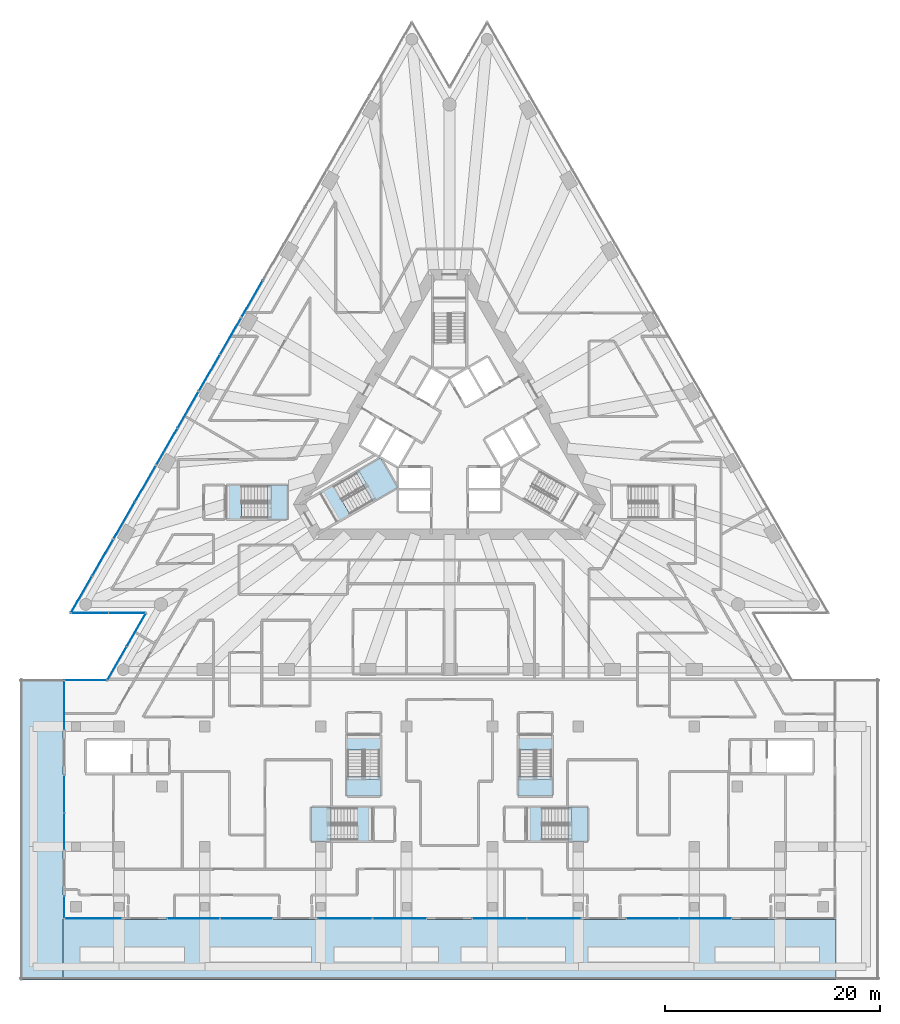
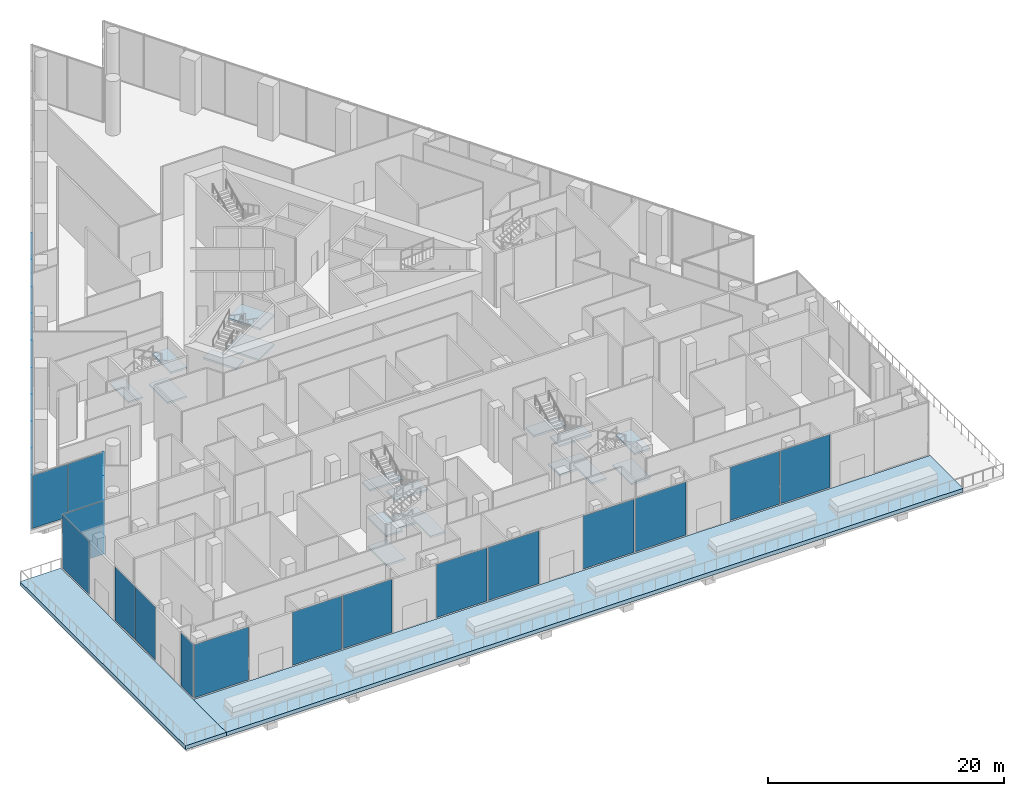
# One storey, part 19 of 36: 27 plates, 20 slabs, 26 elements without a shape of their own.
"""IFC4 building model written with IfcOpenShell, lengths in metres."""

from ifc_helpers import new_model, si_unit, direction, frame, origin, origin_2d, place, context, subcontext, project, spatial, polyline, rectangle, outline, extrude, material, layer, layer_set, layer_usage, type_object, element, aggregate, save


model = new_model("IFC4")

# Units and contexts
model_context = context("Model", 3, precision=1e-05, world=origin(), true_north=direction((0.0, 1.0)))
body_context = subcontext(model_context, "Body", "Model", "MODEL_VIEW")
ifc_project = project(units=[si_unit("LENGTHUNIT", "METRE"), si_unit("AREAUNIT", "SQUARE_METRE"), si_unit("VOLUMEUNIT", "CUBIC_METRE"), si_unit("PLANEANGLEUNIT", "RADIAN"), si_unit("MASSUNIT", "GRAM", prefix="KILO")], contexts=[model_context])

# Site, building, storey
site_placement = place(None, origin())
site = spatial("IfcSite", under=ifc_project, at=site_placement, CompositionType="ELEMENT")
building_placement = place(site_placement, origin())
building = spatial("IfcBuilding", under=site, at=building_placement, Name="Triada Interchange Tower", CompositionType="ELEMENT")
storey_placement = place(building_placement, frame((0.0, 0.0, 8.5)))
storey = spatial("IfcBuildingStorey", under=building, at=storey_placement, Name="L01", CompositionType="ELEMENT", Elevation=8.5)

# Curtain wall, plate
ifc_material_1 = material(Name="Aluminium framed glazing", Category="aluminium")
ifc_layer_1 = layer(ifc_material_1, 0.199951171875)
ifc_layer_set_1 = layer_set([ifc_layer_1], Name="Curtain wall Concourse glazed screen")
curtain_wall_type_1 = type_object("IfcCurtainWallType", Name="Curtain wall Concourse glazed screen", PredefinedType="NOTDEFINED", material=ifc_layer_set_1)
curtain_wall_1_placement = place(storey_placement, origin())
curtain_wall_1 = element("IfcCurtainWall", 1, at=curtain_wall_1_placement, inside=storey, type_object=curtain_wall_type_1, Name="Concourse glazed screen CW030 L01", PredefinedType="NOTDEFINED")
ifc_material_2 = material(Name="Insulated glazing unit", Category="glass")
ifc_layer_2 = layer(ifc_material_2, 0.031982421875)
ifc_layer_set_2 = layer_set([ifc_layer_2], Name="Glazing panel Concourse glazed screen 32")
plate_type_1 = type_object("IfcPlateType", Name="Glazing panel Concourse glazed screen 32", PredefinedType="CURTAIN_PANEL", material=ifc_layer_set_2)
plate_1_placement = place(storey_placement, frame((-18.396728515625, 12.935302734375, 0.06005859375), z_axis=(0.0, 0.0, 1.0), x_axis=(-0.499893351442, -0.866086968603, 0.0)))
plate_1 = element("IfcPlate", 2, at=plate_1_placement, type_object=plate_type_1, Name="CW030 panel 2.1", PredefinedType="CURTAIN_PANEL", context=body_context, shape_type="SweptSolid", body=[
    extrude(rectangle(XDim=3.8779296875, YDim=0.031982421875, at=origin_2d()), origin(), (0.0, 0.0, 1.0), 5.47998046875),
])
aggregate(curtain_wall_1, [plate_1])

# Curtain wall, plates
curtain_wall_2_placement = place(storey_placement, origin())
curtain_wall_2 = element("IfcCurtainWall", 3, at=curtain_wall_2_placement, inside=storey, type_object=curtain_wall_type_1, Name="Concourse glazed screen CW031 L01", PredefinedType="NOTDEFINED")
plate_2_placement = place(storey_placement, frame((-20.4013671875, 9.46484375, 0.06005859375), z_axis=(0.0, 0.0, 1.0), x_axis=(-0.499893351442, -0.866086968603, 0.0)))
plate_2 = element("IfcPlate", 4, at=plate_2_placement, type_object=plate_type_1, Name="CW031 panel 1.1", PredefinedType="CURTAIN_PANEL", context=body_context, shape_type="SweptSolid", body=[
    extrude(rectangle(XDim=3.8779296875, YDim=0.031982421875, at=origin_2d()), origin(), (0.0, 0.0, 1.0), 5.47998046875),
])
plate_3_placement = place(storey_placement, frame((-22.369873046875, 6.05419921875, 0.06005859375), z_axis=(0.0, 0.0, 1.0), x_axis=(-0.499893351442, -0.866086968603, 0.0)))
plate_3 = element("IfcPlate", 5, at=plate_3_placement, type_object=plate_type_1, Name="CW031 panel 2.1", PredefinedType="CURTAIN_PANEL", context=body_context, shape_type="SweptSolid", body=[
    extrude(rectangle(XDim=3.8779296875, YDim=0.031982421875, at=origin_2d()), origin(), (0.0, 0.0, 1.0), 5.47998046875),
])
aggregate(curtain_wall_2, [plate_2, plate_3])

curtain_wall_3_placement = place(storey_placement, origin())
curtain_wall_3 = element("IfcCurtainWall", 6, at=curtain_wall_3_placement, inside=storey, type_object=curtain_wall_type_1, Name="Concourse glazed screen CW032 L01", PredefinedType="NOTDEFINED")
plate_4_placement = place(storey_placement, frame((-24.374267578125, 2.5830078125, 0.06005859375), z_axis=(0.0, 0.0, 1.0), x_axis=(-0.499947913852, -0.866055473648, 0.0)))
plate_4 = element("IfcPlate", 7, at=plate_4_placement, type_object=plate_type_1, Name="CW032 panel 1.1", PredefinedType="CURTAIN_PANEL", context=body_context, shape_type="SweptSolid", body=[
    extrude(rectangle(XDim=3.87744140625, YDim=0.031982421875, at=origin_2d()), origin(), (0.0, 0.0, 1.0), 5.47998046875),
])
plate_5_placement = place(storey_placement, frame((-26.3427734375, -0.826904296875, 0.06005859375), z_axis=(0.0, 0.0, 1.0), x_axis=(-0.499947913852, -0.866055473648, 0.0)))
plate_5 = element("IfcPlate", 8, at=plate_5_placement, type_object=plate_type_1, Name="CW032 panel 2.1", PredefinedType="CURTAIN_PANEL", context=body_context, shape_type="SweptSolid", body=[
    extrude(rectangle(XDim=3.87744140625, YDim=0.031982421875, at=origin_2d()), origin(), (0.0, 0.0, 1.0), 5.47998046875),
])
aggregate(curtain_wall_3, [plate_4, plate_5])

curtain_wall_4_placement = place(storey_placement, origin())
curtain_wall_4 = element("IfcCurtainWall", 9, at=curtain_wall_4_placement, inside=storey, type_object=curtain_wall_type_1, Name="Concourse glazed screen CW033 L01", PredefinedType="NOTDEFINED")
plate_6_placement = place(storey_placement, frame((-28.34716796875, -4.298095703125, 0.06005859375), z_axis=(0.0, 0.0, 1.0), x_axis=(-0.499947913852, -0.866055473648, 0.0)))
plate_6 = element("IfcPlate", 10, at=plate_6_placement, type_object=plate_type_1, Name="CW033 panel 1.1", PredefinedType="CURTAIN_PANEL", context=body_context, shape_type="SweptSolid", body=[
    extrude(rectangle(XDim=3.87744140625, YDim=0.031982421875, at=origin_2d()), origin(), (0.0, 0.0, 1.0), 5.47998046875),
])
plate_7_placement = place(storey_placement, frame((-30.315673828125, -7.7080078125, 0.06005859375), z_axis=(0.0, 0.0, 1.0), x_axis=(-0.499947913852, -0.866055473648, 0.0)))
plate_7 = element("IfcPlate", 11, at=plate_7_placement, type_object=plate_type_1, Name="CW033 panel 2.1", PredefinedType="CURTAIN_PANEL", context=body_context, shape_type="SweptSolid", body=[
    extrude(rectangle(XDim=3.87744140625, YDim=0.031982421875, at=origin_2d()), origin(), (0.0, 0.0, 1.0), 5.47998046875),
])
aggregate(curtain_wall_4, [plate_6, plate_7])

curtain_wall_5_placement = place(storey_placement, origin())
curtain_wall_5 = element("IfcCurtainWall", 12, at=curtain_wall_5_placement, inside=storey, type_object=curtain_wall_type_1, Name="Concourse glazed screen CW034 L01", PredefinedType="NOTDEFINED")
plate_8_placement = place(storey_placement, frame((-32.321044921875, -11.18017578125, 0.06005859375), z_axis=(0.0, 0.0, 1.0), x_axis=(-0.499958648825, -0.86604927658, 0.0)))
plate_8 = element("IfcPlate", 13, at=plate_8_placement, type_object=plate_type_1, Name="CW034 panel 1.1", PredefinedType="CURTAIN_PANEL", context=body_context, shape_type="SweptSolid", body=[
    extrude(rectangle(XDim=3.88037109375, YDim=0.031982421875, at=origin_2d()), origin(), (0.0, 0.0, 1.0), 5.47998046875),
])
plate_9_placement = place(storey_placement, frame((-34.291015625, -14.5927734375, 0.06005859375), z_axis=(0.0, 0.0, 1.0), x_axis=(-0.499958648825, -0.86604927658, 0.0)))
plate_9 = element("IfcPlate", 14, at=plate_9_placement, type_object=plate_type_1, Name="CW034 panel 2.1", PredefinedType="CURTAIN_PANEL", context=body_context, shape_type="SweptSolid", body=[
    extrude(rectangle(XDim=3.88037109375, YDim=0.031982421875, at=origin_2d()), origin(), (0.0, 0.0, 1.0), 5.47998046875),
])
aggregate(curtain_wall_5, [plate_8, plate_9])

# Curtain wall, plate
ifc_layer_3 = layer(ifc_material_1, 0.199951171875)
ifc_layer_set_3 = layer_set([ifc_layer_3], Name="Curtain wall Retail shopfront")
curtain_wall_type_2 = type_object("IfcCurtainWallType", Name="Curtain wall Retail shopfront", PredefinedType="NOTDEFINED", material=ifc_layer_set_3)
curtain_wall_6_placement = place(storey_placement, origin())
curtain_wall_6 = element("IfcCurtainWall", 15, at=curtain_wall_6_placement, inside=storey, type_object=curtain_wall_type_2, Name="Retail shopfront CW001 L01", PredefinedType="NOTDEFINED")
ifc_layer_4 = layer(ifc_material_2, 0.028076171875)
ifc_layer_set_4 = layer_set([ifc_layer_4], Name="Glazing panel Retail shopfront 28")
plate_type_2 = type_object("IfcPlateType", Name="Glazing panel Retail shopfront 28", PredefinedType="CURTAIN_PANEL", material=ifc_layer_set_4)
plate_10_placement = place(storey_placement, frame((-33.2099609375, -44.800048828125, 0.050048828125), z_axis=(0.0, 0.0, 1.0), x_axis=(1.0, 0.0, 0.0)))
plate_10 = element("IfcPlate", 16, at=plate_10_placement, type_object=plate_type_2, Name="CW001 panel 1.1", PredefinedType="CURTAIN_PANEL", context=body_context, shape_type="SweptSolid", body=[
    extrude(rectangle(XDim=5.280029296875, YDim=0.028076171875, at=origin_2d()), origin(), (0.0, 0.0, 1.0), 5.5),
])
aggregate(curtain_wall_6, [plate_10])

curtain_wall_7_placement = place(storey_placement, origin())
curtain_wall_7 = element("IfcCurtainWall", 17, at=curtain_wall_7_placement, inside=storey, type_object=curtain_wall_type_2, Name="Retail shopfront CW002 L01", PredefinedType="NOTDEFINED")
plate_11_placement = place(storey_placement, frame((-23.857421875, -44.800048828125, 0.050048828125), z_axis=(0.0, 0.0, 1.0), x_axis=(1.0, 0.0, 0.0)))
plate_11 = element("IfcPlate", 18, at=plate_11_placement, type_object=plate_type_2, Name="CW002 panel 1.1", PredefinedType="CURTAIN_PANEL", context=body_context, shape_type="SweptSolid", body=[
    extrude(rectangle(XDim=4.824951171875, YDim=0.028076171875, at=origin_2d()), origin(), (0.0, 0.0, 1.0), 5.5),
])
aggregate(curtain_wall_7, [plate_11])

curtain_wall_8_placement = place(storey_placement, origin())
curtain_wall_8 = element("IfcCurtainWall", 19, at=curtain_wall_8_placement, inside=storey, type_object=curtain_wall_type_2, Name="Retail shopfront CW003 L01", PredefinedType="NOTDEFINED")
plate_12_placement = place(storey_placement, frame((-18.922607421875, -44.800048828125, 0.050048828125), z_axis=(0.0, 0.0, 1.0), x_axis=(1.0, 0.0, 0.0)))
plate_12 = element("IfcPlate", 20, at=plate_12_placement, type_object=plate_type_2, Name="CW003 panel 1.1", PredefinedType="CURTAIN_PANEL", context=body_context, shape_type="SweptSolid", body=[
    extrude(rectangle(XDim=4.824951171875, YDim=0.028076171875, at=origin_2d()), origin(), (0.0, 0.0, 1.0), 5.5),
])
aggregate(curtain_wall_8, [plate_12])

curtain_wall_9_placement = place(storey_placement, origin())
curtain_wall_9 = element("IfcCurtainWall", 21, at=curtain_wall_9_placement, inside=storey, type_object=curtain_wall_type_2, Name="Retail shopfront CW004 L01", PredefinedType="NOTDEFINED")
plate_13_placement = place(storey_placement, frame((-9.722412109375, -44.800048828125, 0.050048828125), z_axis=(0.0, 0.0, 1.0), x_axis=(1.0, 0.0, 0.0)))
plate_13 = element("IfcPlate", 22, at=plate_13_placement, type_object=plate_type_2, Name="CW004 panel 1.1", PredefinedType="CURTAIN_PANEL", context=body_context, shape_type="SweptSolid", body=[
    extrude(rectangle(XDim=4.97509765625, YDim=0.028076171875, at=origin_2d()), origin(), (0.0, 0.0, 1.0), 5.5),
])
aggregate(curtain_wall_9, [plate_13])

curtain_wall_10_placement = place(storey_placement, origin())
curtain_wall_10 = element("IfcCurtainWall", 23, at=curtain_wall_10_placement, inside=storey, type_object=curtain_wall_type_2, Name="Retail shopfront CW005 L01", PredefinedType="NOTDEFINED")
plate_14_placement = place(storey_placement, frame((-4.637451171875, -44.800048828125, 0.050048828125), z_axis=(0.0, 0.0, 1.0), x_axis=(1.0, 0.0, 0.0)))
plate_14 = element("IfcPlate", 24, at=plate_14_placement, type_object=plate_type_2, Name="CW005 panel 1.1", PredefinedType="CURTAIN_PANEL", context=body_context, shape_type="SweptSolid", body=[
    extrude(rectangle(XDim=4.97509765625, YDim=0.028076171875, at=origin_2d()), origin(), (0.0, 0.0, 1.0), 5.5),
])
aggregate(curtain_wall_10, [plate_14])

curtain_wall_11_placement = place(storey_placement, origin())
curtain_wall_11 = element("IfcCurtainWall", 25, at=curtain_wall_11_placement, inside=storey, type_object=curtain_wall_type_2, Name="Retail shopfront CW006 L01", PredefinedType="NOTDEFINED")
plate_15_placement = place(storey_placement, frame((4.637451171875, -44.800048828125, 0.050048828125), z_axis=(0.0, 0.0, 1.0), x_axis=(1.0, 0.0, 0.0)))
plate_15 = element("IfcPlate", 26, at=plate_15_placement, type_object=plate_type_2, Name="CW006 panel 1.1", PredefinedType="CURTAIN_PANEL", context=body_context, shape_type="SweptSolid", body=[
    extrude(rectangle(XDim=4.97509765625, YDim=0.028076171875, at=origin_2d()), origin(), (0.0, 0.0, 1.0), 5.5),
])
aggregate(curtain_wall_11, [plate_15])

curtain_wall_12_placement = place(storey_placement, origin())
curtain_wall_12 = element("IfcCurtainWall", 27, at=curtain_wall_12_placement, inside=storey, type_object=curtain_wall_type_2, Name="Retail shopfront CW007 L01", PredefinedType="NOTDEFINED")
plate_16_placement = place(storey_placement, frame((9.722412109375, -44.800048828125, 0.050048828125), z_axis=(0.0, 0.0, 1.0), x_axis=(1.0, 0.0, 0.0)))
plate_16 = element("IfcPlate", 28, at=plate_16_placement, type_object=plate_type_2, Name="CW007 panel 1.1", PredefinedType="CURTAIN_PANEL", context=body_context, shape_type="SweptSolid", body=[
    extrude(rectangle(XDim=4.97509765625, YDim=0.028076171875, at=origin_2d()), origin(), (0.0, 0.0, 1.0), 5.5),
])
aggregate(curtain_wall_12, [plate_16])

curtain_wall_13_placement = place(storey_placement, origin())
curtain_wall_13 = element("IfcCurtainWall", 29, at=curtain_wall_13_placement, inside=storey, type_object=curtain_wall_type_2, Name="Retail shopfront CW008 L01", PredefinedType="NOTDEFINED")
plate_17_placement = place(storey_placement, frame((18.922607421875, -44.800048828125, 0.050048828125), z_axis=(0.0, 0.0, 1.0), x_axis=(1.0, 0.0, 0.0)))
plate_17 = element("IfcPlate", 30, at=plate_17_placement, type_object=plate_type_2, Name="CW008 panel 1.1", PredefinedType="CURTAIN_PANEL", context=body_context, shape_type="SweptSolid", body=[
    extrude(rectangle(XDim=4.824951171875, YDim=0.028076171875, at=origin_2d()), origin(), (0.0, 0.0, 1.0), 5.5),
])
aggregate(curtain_wall_13, [plate_17])

curtain_wall_14_placement = place(storey_placement, origin())
curtain_wall_14 = element("IfcCurtainWall", 31, at=curtain_wall_14_placement, inside=storey, type_object=curtain_wall_type_2, Name="Retail shopfront CW009 L01", PredefinedType="NOTDEFINED")
plate_18_placement = place(storey_placement, frame((23.857421875, -44.800048828125, 0.050048828125), z_axis=(0.0, 0.0, 1.0), x_axis=(1.0, 0.0, 0.0)))
plate_18 = element("IfcPlate", 32, at=plate_18_placement, type_object=plate_type_2, Name="CW009 panel 1.1", PredefinedType="CURTAIN_PANEL", context=body_context, shape_type="SweptSolid", body=[
    extrude(rectangle(XDim=4.824951171875, YDim=0.028076171875, at=origin_2d()), origin(), (0.0, 0.0, 1.0), 5.5),
])
aggregate(curtain_wall_14, [plate_18])

curtain_wall_15_placement = place(storey_placement, origin())
curtain_wall_15 = element("IfcCurtainWall", 33, at=curtain_wall_15_placement, inside=storey, type_object=curtain_wall_type_2, Name="Retail shopfront CW037 L01", PredefinedType="NOTDEFINED")
plate_19_placement = place(storey_placement, frame((-33.89892578125, -22.60009765625, 0.050048828125), z_axis=(0.0, 0.0, 1.0), x_axis=(-1.0, 0.0, 0.0)))
plate_19 = element("IfcPlate", 34, at=plate_19_placement, type_object=plate_type_2, Name="CW037 panel 1.1", PredefinedType="CURTAIN_PANEL", context=body_context, shape_type="SweptSolid", body=[
    extrude(rectangle(XDim=3.902099609375, YDim=0.028076171875, at=origin_2d()), origin(), (0.0, 0.0, 1.0), 5.5),
])
aggregate(curtain_wall_15, [plate_19])

curtain_wall_16_placement = place(storey_placement, origin())
curtain_wall_16 = element("IfcCurtainWall", 35, at=curtain_wall_16_placement, inside=storey, type_object=curtain_wall_type_2, Name="Retail shopfront CW038 L01", PredefinedType="NOTDEFINED")
plate_20_placement = place(storey_placement, frame((-35.89990234375, -24.925048828125, 0.050048828125), z_axis=(0.0, 0.0, 1.0), x_axis=(0.0, -1.0, 0.0)))
plate_20 = element("IfcPlate", 36, at=plate_20_placement, type_object=plate_type_2, Name="CW038 panel 1.1", PredefinedType="CURTAIN_PANEL", context=body_context, shape_type="SweptSolid", body=[
    extrude(rectangle(XDim=4.550048828125, YDim=0.028076171875, at=origin_2d()), origin(), (0.0, 0.0, 1.0), 5.5),
])
aggregate(curtain_wall_16, [plate_20])

# Curtain wall, plates
curtain_wall_17_placement = place(storey_placement, origin())
curtain_wall_17 = element("IfcCurtainWall", 37, at=curtain_wall_17_placement, inside=storey, type_object=curtain_wall_type_2, Name="Retail shopfront CW039 L01", PredefinedType="NOTDEFINED")
plate_21_placement = place(storey_placement, frame((-35.89990234375, -33.21240234375, 0.050048828125), z_axis=(0.0, 0.0, 1.0), x_axis=(0.0, -1.0, 0.0)))
plate_21 = element("IfcPlate", 38, at=plate_21_placement, type_object=plate_type_2, Name="CW039 panel 1.1", PredefinedType="CURTAIN_PANEL", context=body_context, shape_type="SweptSolid", body=[
    extrude(rectangle(XDim=3.425048828125, YDim=0.028076171875, at=origin_2d()), origin(), (0.0, 0.0, 1.0), 5.5),
])
plate_22_placement = place(storey_placement, frame((-35.89990234375, -36.6875, 0.050048828125), z_axis=(0.0, 0.0, 1.0), x_axis=(0.0, -1.0, 0.0)))
plate_22 = element("IfcPlate", 39, at=plate_22_placement, type_object=plate_type_2, Name="CW039 panel 2.1", PredefinedType="CURTAIN_PANEL", context=body_context, shape_type="SweptSolid", body=[
    extrude(rectangle(XDim=3.425048828125, YDim=0.028076171875, at=origin_2d()), origin(), (0.0, 0.0, 1.0), 5.5),
])
aggregate(curtain_wall_17, [plate_21, plate_22])

# Curtain wall, plate
curtain_wall_18_placement = place(storey_placement, origin())
curtain_wall_18 = element("IfcCurtainWall", 40, at=curtain_wall_18_placement, inside=storey, type_object=curtain_wall_type_2, Name="Retail shopfront CW040 L01", PredefinedType="NOTDEFINED")
plate_23_placement = place(storey_placement, frame((-35.89990234375, -43.72509765625, 0.050048828125), z_axis=(0.0, 0.0, 1.0), x_axis=(0.0, -1.0, 0.0)))
plate_23 = element("IfcPlate", 41, at=plate_23_placement, type_object=plate_type_2, Name="CW040 panel 1.1", PredefinedType="CURTAIN_PANEL", context=body_context, shape_type="SweptSolid", body=[
    extrude(rectangle(XDim=2.050048828125, YDim=0.028076171875, at=origin_2d()), origin(), (0.0, 0.0, 1.0), 5.5),
])
aggregate(curtain_wall_18, [plate_23])

# Curtain wall, plates
ifc_layer_5 = layer(ifc_material_1, 0.199951171875)
ifc_layer_set_5 = layer_set([ifc_layer_5], Name="Curtain wall Tower lobby glazing")
curtain_wall_type_3 = type_object("IfcCurtainWallType", Name="Curtain wall Tower lobby glazing", PredefinedType="NOTDEFINED", material=ifc_layer_set_5)
curtain_wall_19_placement = place(storey_placement, origin())
curtain_wall_19 = element("IfcCurtainWall", 42, at=curtain_wall_19_placement, inside=storey, type_object=curtain_wall_type_3, Name="Tower lobby glazing CW035 L01", PredefinedType="NOTDEFINED")
ifc_layer_6 = layer(ifc_material_2, 0.031982421875)
ifc_layer_set_6 = layer_set([ifc_layer_6], Name="Glazing panel Tower lobby glazing 32")
plate_type_3 = type_object("IfcPlateType", Name="Glazing panel Tower lobby glazing 32", PredefinedType="CURTAIN_PANEL", material=ifc_layer_set_6)
plate_24_placement = place(storey_placement, frame((-33.522216796875, -16.324951171875, 0.06005859375), z_axis=(0.0, 0.0, 1.0), x_axis=(1.0, 0.0, 0.0)))
plate_24 = element("IfcPlate", 43, at=plate_24_placement, type_object=plate_type_3, Name="CW035 panel 1.1", PredefinedType="CURTAIN_PANEL", context=body_context, shape_type="SweptSolid", body=[
    extrude(rectangle(XDim=3.41748046875, YDim=0.031982421875, at=origin_2d()), origin(), (0.0, 0.0, 1.0), 5.47998046875),
])
plate_25_placement = place(storey_placement, frame((-30.044677734375, -16.324951171875, 0.06005859375), z_axis=(0.0, 0.0, 1.0), x_axis=(1.0, 0.0, 0.0)))
plate_25 = element("IfcPlate", 44, at=plate_25_placement, type_object=plate_type_3, Name="CW035 panel 2.1", PredefinedType="CURTAIN_PANEL", context=body_context, shape_type="SweptSolid", body=[
    extrude(rectangle(XDim=3.41748046875, YDim=0.031982421875, at=origin_2d()), origin(), (0.0, 0.0, 1.0), 5.47998046875),
])
aggregate(curtain_wall_19, [plate_24, plate_25])

curtain_wall_20_placement = place(storey_placement, origin())
curtain_wall_20 = element("IfcCurtainWall", 45, at=curtain_wall_20_placement, inside=storey, type_object=curtain_wall_type_3, Name="Tower lobby glazing CW036 L01", PredefinedType="NOTDEFINED")
plate_26_placement = place(storey_placement, frame((-29.18896484375, -17.90673828125, 0.06005859375), z_axis=(0.0, 0.0, 1.0), x_axis=(-0.499909634761, -0.866077569894, 0.0)))
plate_26 = element("IfcPlate", 46, at=plate_26_placement, type_object=plate_type_3, Name="CW036 panel 1.1", PredefinedType="CURTAIN_PANEL", context=body_context, shape_type="SweptSolid", body=[
    extrude(rectangle(XDim=3.53271484375, YDim=0.031982421875, at=origin_2d()), origin(), (0.0, 0.0, 1.0), 5.47998046875),
])
plate_27_placement = place(storey_placement, frame((-30.985107421875, -21.018310546875, 0.06005859375), z_axis=(0.0, 0.0, 1.0), x_axis=(-0.499909634761, -0.866077569894, 0.0)))
plate_27 = element("IfcPlate", 47, at=plate_27_placement, type_object=plate_type_3, Name="CW036 panel 2.1", PredefinedType="CURTAIN_PANEL", context=body_context, shape_type="SweptSolid", body=[
    extrude(rectangle(XDim=3.53271484375, YDim=0.031982421875, at=origin_2d()), origin(), (0.0, 0.0, 1.0), 5.47998046875),
])
aggregate(curtain_wall_20, [plate_26, plate_27])

# Stair, slabs
ifc_material_3 = material(Name="Concrete C35/45", Category="concrete")
stair_type = type_object("IfcStairType", Name="HALF TURN STAIR 1400", PredefinedType="HALF_TURN_STAIR", material=ifc_material_3)
stair_1_placement = place(storey_placement, origin())
stair_1 = element("IfcStair", 48, at=stair_1_placement, inside=storey, type_object=stair_type, Name="Exit stair S01-2", PredefinedType="HALF_TURN_STAIR")
ifc_layer_7 = layer(ifc_material_3, 0.199951171875)
ifc_layer_set_7 = layer_set([ifc_layer_7], Name="STAIR LANDING 200")
slab_type_1 = type_object("IfcSlabType", Name="STAIR LANDING 200", PredefinedType="LANDING", material=ifc_layer_set_7)
slab_1_placement = place(storey_placement, frame((0.0, 0.0, 1.220947265625)))
slab_1 = element("IfcSlab", 49, at=slab_1_placement, type_object=slab_type_1, Name="S01-2 landing 1", PredefinedType="LANDING", context=body_context, shape_type="SweptSolid", body=[
    extrude(outline(polyline([(-6.428955078125, -1.864013671875), (-8.73291015625, -3.194091796875), (-7.133056640625, -5.966064453125), (-4.8291015625, -4.635986328125), (-6.428955078125, -1.864013671875)])), origin(), (0.0, 0.0, 1.0), 0.199951171875),
])
slab_2_placement = place(storey_placement, frame((0.0, 0.0, 4.220947265625)))
slab_2 = element("IfcSlab", 50, at=slab_2_placement, type_object=slab_type_1, Name="S01-2 landing 2", PredefinedType="LANDING", context=body_context, shape_type="SweptSolid", body=[
    extrude(outline(polyline([(-6.428955078125, -1.864013671875), (-8.468994140625, -3.0419921875), (-6.868896484375, -5.81298828125), (-4.8291015625, -4.635986328125), (-6.428955078125, -1.864013671875)])), origin(), (0.0, 0.0, 1.0), 0.199951171875),
])
slab_3_placement = place(storey_placement, frame((0.0, 0.0, 2.64208984375)))
slab_3 = element("IfcSlab", 51, at=slab_3_placement, type_object=slab_type_1, Name="S01-2 landing 3", PredefinedType="LANDING", context=body_context, shape_type="SweptSolid", body=[
    extrude(outline(polyline([(-10.845947265625, -4.4140625), (-12.05810546875, -5.114013671875), (-10.4580078125, -7.885986328125), (-9.24609375, -7.18603515625), (-10.845947265625, -4.4140625)])), origin(), (0.0, 0.0, 1.0), 0.199951171875),
])
aggregate(stair_1, [slab_1, slab_2, slab_3])

stair_2_placement = place(storey_placement, origin())
stair_2 = element("IfcStair", 52, at=stair_2_placement, inside=storey, type_object=stair_type, Name="Exit stair S01-4", PredefinedType="HALF_TURN_STAIR")
slab_4_placement = place(storey_placement, frame((0.0, 0.0, 1.220947265625)))
slab_4 = element("IfcSlab", 53, at=slab_4_placement, type_object=slab_type_1, Name="S01-4 landing 1", PredefinedType="LANDING", context=body_context, shape_type="SweptSolid", body=[
    extrude(outline(polyline([(-12.89990234375, -37.60009765625), (-11.0400390625, -37.60009765625), (-11.0400390625, -34.39990234375), (-12.89990234375, -34.39990234375), (-12.89990234375, -37.60009765625)])), origin(), (0.0, 0.0, 1.0), 0.199951171875),
])
slab_5_placement = place(storey_placement, frame((0.0, 0.0, 4.220947265625)))
slab_5 = element("IfcSlab", 54, at=slab_5_placement, type_object=slab_type_1, Name="S01-4 landing 2", PredefinedType="LANDING", context=body_context, shape_type="SweptSolid", body=[
    extrude(outline(polyline([(-12.89990234375, -37.60009765625), (-11.344970703125, -37.60009765625), (-11.344970703125, -34.39990234375), (-12.89990234375, -34.39990234375), (-12.89990234375, -37.60009765625)])), origin(), (0.0, 0.0, 1.0), 0.199951171875),
])
slab_6_placement = place(storey_placement, frame((0.0, 0.0, 2.64208984375)))
slab_6 = element("IfcSlab", 55, at=slab_6_placement, type_object=slab_type_1, Name="S01-4 landing 3", PredefinedType="LANDING", context=body_context, shape_type="SweptSolid", body=[
    extrude(outline(polyline([(-8.60009765625, -37.60009765625), (-7.199951171875, -37.60009765625), (-7.199951171875, -34.39990234375), (-8.60009765625, -34.39990234375), (-8.60009765625, -37.60009765625)])), origin(), (0.0, 0.0, 1.0), 0.199951171875),
])
aggregate(stair_2, [slab_4, slab_5, slab_6])

stair_3_placement = place(storey_placement, origin())
stair_3 = element("IfcStair", 56, at=stair_3_placement, inside=storey, type_object=stair_type, Name="Exit stair S01-5", PredefinedType="HALF_TURN_STAIR")
slab_7_placement = place(storey_placement, frame((0.0, 0.0, 1.220947265625)))
slab_7 = element("IfcSlab", 57, at=slab_7_placement, type_object=slab_type_1, Name="S01-5 landing 1", PredefinedType="LANDING", context=body_context, shape_type="SweptSolid", body=[
    extrude(outline(polyline([(12.89990234375, -34.39990234375), (11.0400390625, -34.39990234375), (11.0400390625, -37.60009765625), (12.89990234375, -37.60009765625), (12.89990234375, -34.39990234375)])), origin(), (0.0, 0.0, 1.0), 0.199951171875),
])
slab_8_placement = place(storey_placement, frame((0.0, 0.0, 4.220947265625)))
slab_8 = element("IfcSlab", 58, at=slab_8_placement, type_object=slab_type_1, Name="S01-5 landing 2", PredefinedType="LANDING", context=body_context, shape_type="SweptSolid", body=[
    extrude(outline(polyline([(12.89990234375, -34.39990234375), (11.344970703125, -34.39990234375), (11.344970703125, -37.60009765625), (12.89990234375, -37.60009765625), (12.89990234375, -34.39990234375)])), origin(), (0.0, 0.0, 1.0), 0.199951171875),
])
slab_9_placement = place(storey_placement, frame((0.0, 0.0, 2.64208984375)))
slab_9 = element("IfcSlab", 59, at=slab_9_placement, type_object=slab_type_1, Name="S01-5 landing 3", PredefinedType="LANDING", context=body_context, shape_type="SweptSolid", body=[
    extrude(outline(polyline([(8.60009765625, -34.39990234375), (7.199951171875, -34.39990234375), (7.199951171875, -37.60009765625), (8.60009765625, -37.60009765625), (8.60009765625, -34.39990234375)])), origin(), (0.0, 0.0, 1.0), 0.199951171875),
])
aggregate(stair_3, [slab_7, slab_8, slab_9])

stair_4_placement = place(storey_placement, origin())
stair_4 = element("IfcStair", 60, at=stair_4_placement, inside=storey, type_object=stair_type, Name="Exit stair S01-6", PredefinedType="HALF_TURN_STAIR")
slab_10_placement = place(storey_placement, frame((0.0, 0.0, 1.220947265625)))
slab_10 = element("IfcSlab", 61, at=slab_10_placement, type_object=slab_type_1, Name="S01-6 landing 1", PredefinedType="LANDING", context=body_context, shape_type="SweptSolid", body=[
    extrude(outline(polyline([(-15.10009765625, -4.39990234375), (-16.9599609375, -4.39990234375), (-16.9599609375, -7.60009765625), (-15.10009765625, -7.60009765625), (-15.10009765625, -4.39990234375)])), origin(), (0.0, 0.0, 1.0), 0.199951171875),
])
slab_11_placement = place(storey_placement, frame((0.0, 0.0, 4.220947265625)))
slab_11 = element("IfcSlab", 62, at=slab_11_placement, type_object=slab_type_1, Name="S01-6 landing 2", PredefinedType="LANDING", context=body_context, shape_type="SweptSolid", body=[
    extrude(outline(polyline([(-15.10009765625, -4.39990234375), (-16.655029296875, -4.39990234375), (-16.655029296875, -7.60009765625), (-15.10009765625, -7.60009765625), (-15.10009765625, -4.39990234375)])), origin(), (0.0, 0.0, 1.0), 0.199951171875),
])
slab_12_placement = place(storey_placement, frame((0.0, 0.0, 2.64208984375)))
slab_12 = element("IfcSlab", 63, at=slab_12_placement, type_object=slab_type_1, Name="S01-6 landing 3", PredefinedType="LANDING", context=body_context, shape_type="SweptSolid", body=[
    extrude(outline(polyline([(-19.39990234375, -4.39990234375), (-20.800048828125, -4.39990234375), (-20.800048828125, -7.60009765625), (-19.39990234375, -7.60009765625), (-19.39990234375, -4.39990234375)])), origin(), (0.0, 0.0, 1.0), 0.199951171875),
])
aggregate(stair_4, [slab_10, slab_11, slab_12])

stair_5_placement = place(storey_placement, origin())
stair_5 = element("IfcStair", 64, at=stair_5_placement, inside=storey, type_object=stair_type, Name="Exit stair S01-10", PredefinedType="HALF_TURN_STAIR")
slab_13_placement = place(storey_placement, frame((0.0, 0.0, 1.220947265625)))
slab_13 = element("IfcSlab", 65, at=slab_13_placement, type_object=slab_type_1, Name="S01-10 landing 1", PredefinedType="LANDING", context=body_context, shape_type="SweptSolid", body=[
    extrude(outline(polyline([(9.60009765625, -33.39990234375), (9.60009765625, -31.5400390625), (6.39990234375, -31.5400390625), (6.39990234375, -33.39990234375), (9.60009765625, -33.39990234375)])), origin(), (0.0, 0.0, 1.0), 0.199951171875),
])
slab_14_placement = place(storey_placement, frame((0.0, 0.0, 4.220947265625)))
slab_14 = element("IfcSlab", 66, at=slab_14_placement, type_object=slab_type_1, Name="S01-10 landing 2", PredefinedType="LANDING", context=body_context, shape_type="SweptSolid", body=[
    extrude(outline(polyline([(9.60009765625, -33.39990234375), (9.60009765625, -31.844970703125), (6.39990234375, -31.844970703125), (6.39990234375, -33.39990234375), (9.60009765625, -33.39990234375)])), origin(), (0.0, 0.0, 1.0), 0.199951171875),
])
slab_15_placement = place(storey_placement, frame((0.0, 0.0, 2.64208984375)))
slab_15 = element("IfcSlab", 67, at=slab_15_placement, type_object=slab_type_1, Name="S01-10 landing 3", PredefinedType="LANDING", context=body_context, shape_type="SweptSolid", body=[
    extrude(outline(polyline([(9.60009765625, -29.10009765625), (9.60009765625, -27.699951171875), (6.39990234375, -27.699951171875), (6.39990234375, -29.10009765625), (9.60009765625, -29.10009765625)])), origin(), (0.0, 0.0, 1.0), 0.199951171875),
])
aggregate(stair_5, [slab_13, slab_14, slab_15])

stair_6_placement = place(storey_placement, origin())
stair_6 = element("IfcStair", 68, at=stair_6_placement, inside=storey, type_object=stair_type, Name="Exit stair S01-11", PredefinedType="HALF_TURN_STAIR")
slab_16_placement = place(storey_placement, frame((0.0, 0.0, 1.220947265625)))
slab_16 = element("IfcSlab", 69, at=slab_16_placement, type_object=slab_type_1, Name="S01-11 landing 1", PredefinedType="LANDING", context=body_context, shape_type="SweptSolid", body=[
    extrude(outline(polyline([(-6.39990234375, -33.39990234375), (-6.39990234375, -31.5400390625), (-9.60009765625, -31.5400390625), (-9.60009765625, -33.39990234375), (-6.39990234375, -33.39990234375)])), origin(), (0.0, 0.0, 1.0), 0.199951171875),
])
slab_17_placement = place(storey_placement, frame((0.0, 0.0, 4.220947265625)))
slab_17 = element("IfcSlab", 70, at=slab_17_placement, type_object=slab_type_1, Name="S01-11 landing 2", PredefinedType="LANDING", context=body_context, shape_type="SweptSolid", body=[
    extrude(outline(polyline([(-6.39990234375, -33.39990234375), (-6.39990234375, -31.844970703125), (-9.60009765625, -31.844970703125), (-9.60009765625, -33.39990234375), (-6.39990234375, -33.39990234375)])), origin(), (0.0, 0.0, 1.0), 0.199951171875),
])
slab_18_placement = place(storey_placement, frame((0.0, 0.0, 2.64208984375)))
slab_18 = element("IfcSlab", 71, at=slab_18_placement, type_object=slab_type_1, Name="S01-11 landing 3", PredefinedType="LANDING", context=body_context, shape_type="SweptSolid", body=[
    extrude(outline(polyline([(-6.39990234375, -29.10009765625), (-6.39990234375, -27.699951171875), (-9.60009765625, -27.699951171875), (-9.60009765625, -29.10009765625), (-6.39990234375, -29.10009765625)])), origin(), (0.0, 0.0, 1.0), 0.199951171875),
])
aggregate(stair_6, [slab_16, slab_17, slab_18])

# Slabs
ifc_material_4 = material(Name="Concrete C30/37 paving slab", Category="concrete")
ifc_layer_8 = layer(ifc_material_4, 0.0400390625, Name="Paving slab")
ifc_material_5 = material(Name="Drainage mat")
ifc_layer_9 = layer(ifc_material_5, 0.02490234375, Name="Drainage layer")
ifc_material_6 = material(Name="Bituminous membrane")
ifc_layer_10 = layer(ifc_material_6, 0.0048828125, Name="Waterproof membrane")
ifc_material_7 = material(Name="Mineral wool")
ifc_layer_11 = layer(ifc_material_7, 0.080078125, Name="Thermal insulation")
ifc_material_8 = material(Name="Screed CT-C25-F4")
ifc_layer_12 = layer(ifc_material_8, 0.050048828125, Name="Screed to falls")
ifc_material_9 = material(Name="Concrete C40/50", Category="concrete")
ifc_layer_13 = layer(ifc_material_9, 0.199951171875, Name="Reinforced concrete slab")
ifc_layer_set_8 = layer_set([ifc_layer_8, ifc_layer_9, ifc_layer_10, ifc_layer_11, ifc_layer_12, ifc_layer_13], Name="Terrace slab 400")
ifc_layer_usage = layer_usage(ifc_layer_set_8, "AXIS3", "POSITIVE", 0.0)
slab_type_2 = type_object("IfcSlabType", Name="Terrace slab 400", PredefinedType="FLOOR", material=ifc_layer_set_8)
slab_19_placement = place(storey_placement, frame((0.0, 0.0, -0.39990234375)))
element("IfcSlab", 72, at=slab_19_placement, inside=storey, type_object=slab_type_2, material=ifc_layer_usage, Name="Terrace slab L01 1", PredefinedType="FLOOR", context=body_context, shape_type="SweptSolid", body=[
    extrude(outline(polyline([(-40.0, -50.5), (-36.0, -50.5), (-36.0, -22.5), (-40.0, -22.5), (-40.0, -50.5)])), origin(), (0.0, 0.0, 1.0), 0.39990234375),
])
slab_20_placement = place(storey_placement, frame((0.0, 0.0, -0.39990234375)))
element("IfcSlab", 73, at=slab_20_placement, inside=storey, type_object=slab_type_2, material=ifc_layer_usage, Name="Terrace slab L01 3", PredefinedType="FLOOR", context=body_context, shape_type="SweptSolid", body=[
    extrude(outline(polyline([(-36.0, -50.5), (36.0, -50.5), (36.0, -44.89990234375), (-36.0, -44.89990234375), (-36.0, -50.5)])), origin(), (0.0, 0.0, 1.0), 0.39990234375),
])

save(model, "model.ifc")
